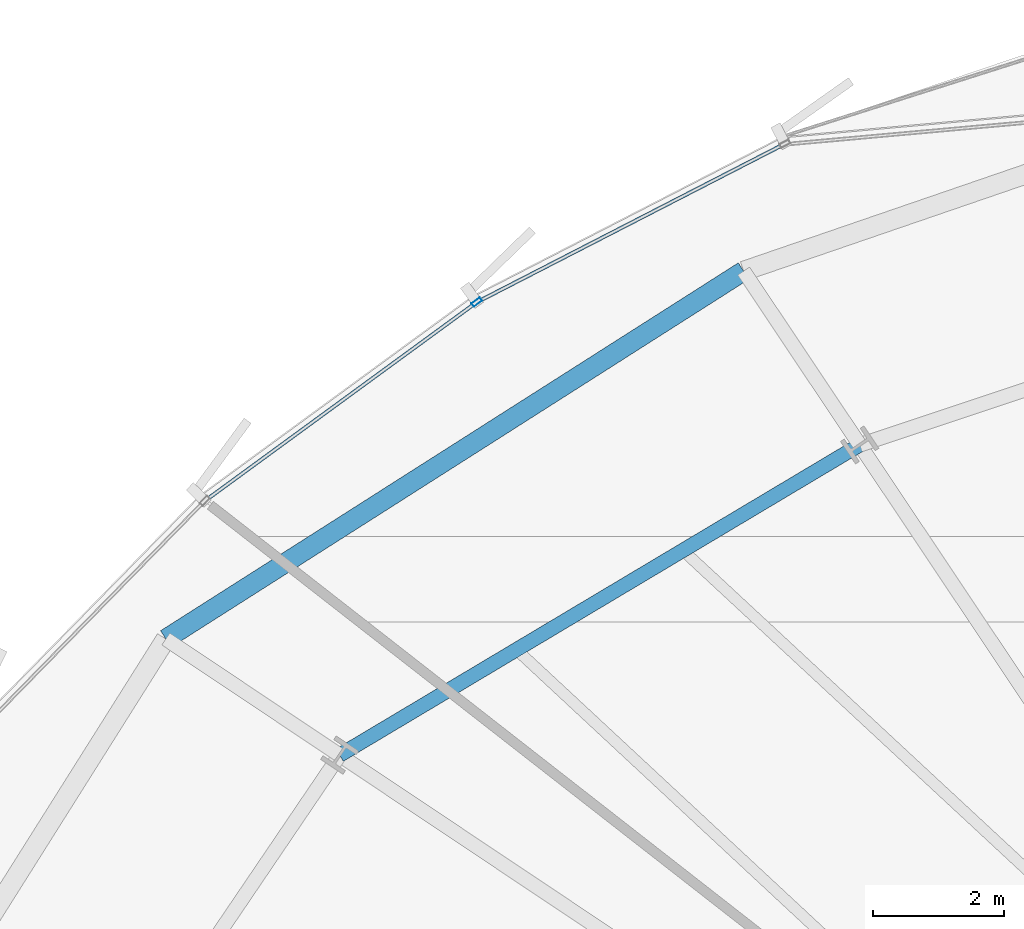
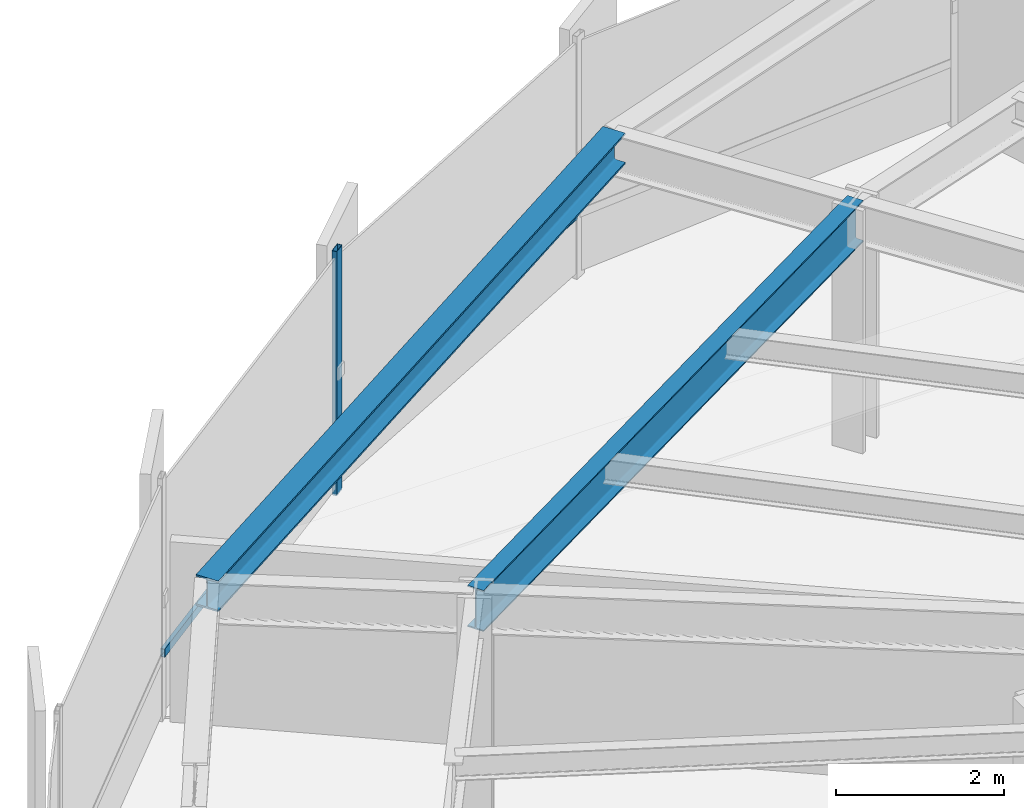
# One storey, part 19 of 37: 3 members, 2 beams, 1 element without a shape of its own.
"""IFC4 building model written with IfcOpenShell, lengths in metres."""

from ifc_helpers import new_model, si_unit, direction, frame, origin, origin_2d, place, context, subcontext, project, spatial, hollow_rectangle, i_section, extrude, source, transform, mapped, material, layer, layer_set, material_profile, profile_set, type_object, element, aggregate, save


model = new_model("IFC4")

# Units and contexts
model_context = context("Model", 3, precision=1e-05, world=origin(), true_north=direction((0.0, 1.0)))
body_context = subcontext(model_context, "Body", "Model", "MODEL_VIEW")
ifc_project = project(units=[si_unit("LENGTHUNIT", "METRE"), si_unit("AREAUNIT", "SQUARE_METRE"), si_unit("VOLUMEUNIT", "CUBIC_METRE"), si_unit("PLANEANGLEUNIT", "RADIAN"), si_unit("MASSUNIT", "GRAM", prefix="KILO"), si_unit("THERMODYNAMICTEMPERATUREUNIT", "KELVIN")], contexts=[model_context])

# Site, building, storey
site_placement = place(None, origin())
site = spatial("IfcSite", under=ifc_project, at=site_placement, CompositionType="ELEMENT")
building_placement = place(site_placement, origin())
building = spatial("IfcBuilding", under=site, at=building_placement, Name="Kethvar Cultural Tower", CompositionType="ELEMENT")
storey_placement = place(building_placement, frame((0.0, 0.0, 56.199951171875)))
storey = spatial("IfcBuildingStorey", under=building, at=storey_placement, Name="L13", CompositionType="ELEMENT", Elevation=56.199951171875)

# Beams
ifc_material_1 = material(Name="Steel S355J2", Category="steel")
ifc_material_profile_1 = material_profile(ifc_material_1, i_section(OverallWidth=0.219970703125, OverallDepth=0.60009765625, WebThickness=0.011962890625, FlangeThickness=0.01904296875, FilletRadius=0.02392578125, at=origin_2d()), Name="Steel S355J2 — IPE600")
ifc_profile_set_1 = profile_set([ifc_material_profile_1], Name="Steel S355J2 — IPE600")
beam_type_1 = type_object("IfcBeamType", Name="BM-IPE600", PredefinedType="BEAM", material=ifc_profile_set_1)
shared_shape_1 = source(origin(), body_context, "Body", "SweptSolid", [
    extrude(i_section(OverallWidth=0.219970703125, OverallDepth=0.60009765625, WebThickness=0.011962890625, FlangeThickness=0.01904296875, FilletRadius=0.02392578125, at=origin_2d()), origin(), (0.0, 0.0, 1.0), 9.270263671875),
])
beam_1_placement = place(storey_placement, frame((34.64599609375, 45.98974609375, 3.248046875), z_axis=(-0.858814626354, -0.51228647997, 0.0), x_axis=(0.51228647997, -0.858814626354, 0.0)))
element("IfcBeam", 1, at=beam_1_placement, inside=storey, type_object=beam_type_1, Name="L13 Column Ring Tie Beam CR-06", PredefinedType="BEAM", context=body_context, shape_type="MappedRepresentation", body=[
    mapped(shared_shape_1, transform((0.0, 0.0, 0.0), scale=1.0)),
])
ifc_material_profile_2 = material_profile(ifc_material_1, i_section(OverallWidth=0.300048828125, OverallDepth=0.449951171875, WebThickness=0.013916015625, FlangeThickness=0.02587890625, FilletRadius=0.027099609375, at=origin_2d()), Name="Steel S355J2 — HEB450")
ifc_profile_set_2 = profile_set([ifc_material_profile_2], Name="Steel S355J2 — HEB450")
beam_type_2 = type_object("IfcBeamType", Name="BM-SP450", PredefinedType="SPANDREL", material=ifc_profile_set_2)
shared_shape_2 = source(origin(), body_context, "Body", "SweptSolid", [
    extrude(i_section(OverallWidth=0.300048828125, OverallDepth=0.449951171875, WebThickness=0.013916015625, FlangeThickness=0.02587890625, FilletRadius=0.027099609375, at=origin_2d()), origin(), (0.0, 0.0, 1.0), 10.485107421875),
])
beam_2_placement = place(storey_placement, frame((32.8681640625, 48.650390625, 3.322998046875), z_axis=(-0.843502294633, -0.537125570932, 0.0), x_axis=(0.537125570932, -0.843502294633, 0.0)))
element("IfcBeam", 2, at=beam_2_placement, inside=storey, type_object=beam_type_2, Name="L13 Perimeter Spandrel Beam SP-06", PredefinedType="SPANDREL", context=body_context, shape_type="MappedRepresentation", body=[
    mapped(shared_shape_2, transform((0.0, 0.0, 0.0), scale=1.0)),
])

# Curtain wall, members
ifc_material_2 = material(Name="Aluminium 6063-T6", Category="aluminium")
ifc_layer = layer(ifc_material_2, 0.179931640625, Name="Aluminium 6063-T6", Category="aluminium")
ifc_layer_set = layer_set([ifc_layer], Name="Aluminium 6063-T6 (180 mm)")
curtain_wall_type = type_object("IfcCurtainWallType", Name="CW-SYS-02-Z1", PredefinedType="NOTDEFINED", material=ifc_layer_set)
curtain_wall_placement = place(storey_placement, origin())
curtain_wall = element("IfcCurtainWall", 3, at=curtain_wall_placement, inside=storey, type_object=curtain_wall_type, Name="L13 Curtain Wall Run 03", PredefinedType="NOTDEFINED")
ifc_material_profile_3 = material_profile(ifc_material_2, hollow_rectangle(XDim=0.06494140625, YDim=0.159912109375, WallThickness=0.0048828125, at=origin_2d()), Name="Aluminium 6063-T6 — RHS160x65x5")
ifc_profile_set_3 = profile_set([ifc_material_profile_3], Name="Aluminium 6063-T6 — RHS160x65x5")
member_type_1 = type_object("IfcMemberType", Name="CW-SYS-02-Z1-MUL", PredefinedType="MULLION", material=ifc_profile_set_3)
shared_shape_3 = source(origin(), body_context, "Body", "SweptSolid", [
    extrude(hollow_rectangle(XDim=0.06494140625, YDim=0.159912109375, WallThickness=0.0048828125, at=origin_2d()), origin(), (0.0, 0.0, 1.0), 3.550048828125),
])
member_1_placement = place(storey_placement, frame((28.785888671875, 48.17578125, 0.0), z_axis=(0.0, 0.0, 1.0), x_axis=(0.589985792496, -0.807413626744, 0.0)))
member_1 = element("IfcMember", 4, at=member_1_placement, type_object=member_type_1, Name="CW-L13-R03 Mullion 5", PredefinedType="MULLION", context=body_context, shape_type="MappedRepresentation", body=[
    mapped(shared_shape_3, transform((0.0, 0.0, 0.0), scale=1.0)),
])
ifc_material_profile_4 = material_profile(ifc_material_2, hollow_rectangle(XDim=0.054931640625, YDim=0.1201171875, WallThickness=0.00390625, at=origin_2d()), Name="Aluminium 6063-T6 — RHS120x55x4")
ifc_profile_set_4 = profile_set([ifc_material_profile_4], Name="Aluminium 6063-T6 — RHS120x55x4")
member_type_2 = type_object("IfcMemberType", Name="CW-SYS-02-Z1-TRN", PredefinedType="USERDEFINED", material=ifc_profile_set_4)
shared_shape_4 = source(origin(), body_context, "Body", "SweptSolid", [
    extrude(hollow_rectangle(XDim=0.054931640625, YDim=0.1201171875, WallThickness=0.00390625, at=origin_2d()), origin(), (0.0, 0.0, 1.0), 5.226806640625),
])
member_2_placement = place(storey_placement, frame((33.459716796875, 50.578125, 0.949951171875), z_axis=(-0.889268261034, -0.457386007566, 0.0), x_axis=(0.457386007566, -0.889268261034, 0.0)))
member_2 = element("IfcMember", 5, at=member_2_placement, type_object=member_type_2, Name="CW-L13-R03 Transom 4", ObjectType="TRANSOM", PredefinedType="USERDEFINED", context=body_context, shape_type="MappedRepresentation", body=[
    mapped(shared_shape_4, transform((0.0, 0.0, 0.0), scale=1.0)),
])
shared_shape_5 = source(origin(), body_context, "Body", "SweptSolid", [
    extrude(hollow_rectangle(XDim=0.054931640625, YDim=0.1201171875, WallThickness=0.00390625, at=origin_2d()), origin(), (0.0, 0.0, 1.0), 5.085693359375),
])
member_3_placement = place(storey_placement, frame((28.748291015625, 48.148193359375, 0.949951171875), z_axis=(-0.807409592754, -0.589991313095, 0.0), x_axis=(0.589991313095, -0.807409592754, 0.0)))
member_3 = element("IfcMember", 6, at=member_3_placement, type_object=member_type_2, Name="CW-L13-R03 Transom 5", ObjectType="TRANSOM", PredefinedType="USERDEFINED", context=body_context, shape_type="MappedRepresentation", body=[
    mapped(shared_shape_5, transform((0.0, 0.0, 0.0), scale=1.0)),
])
aggregate(curtain_wall, [member_1, member_2, member_3])

save(model, "model.ifc")
